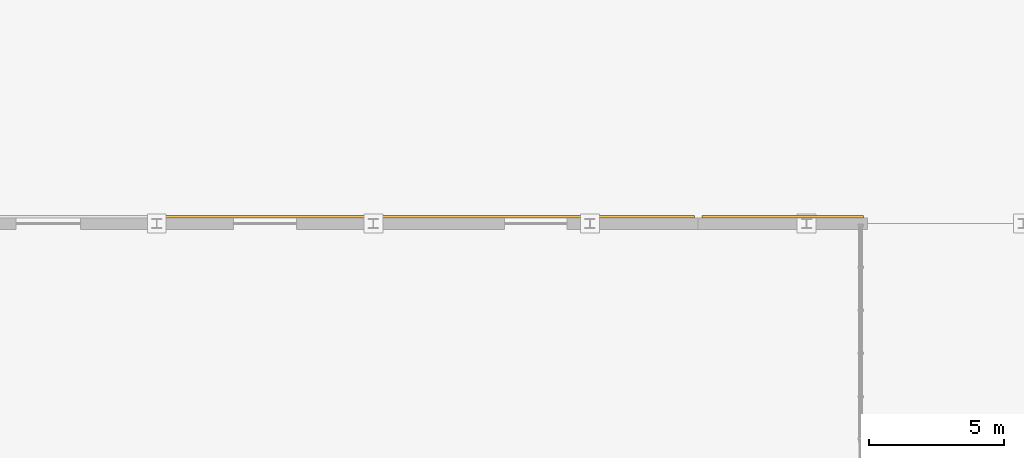
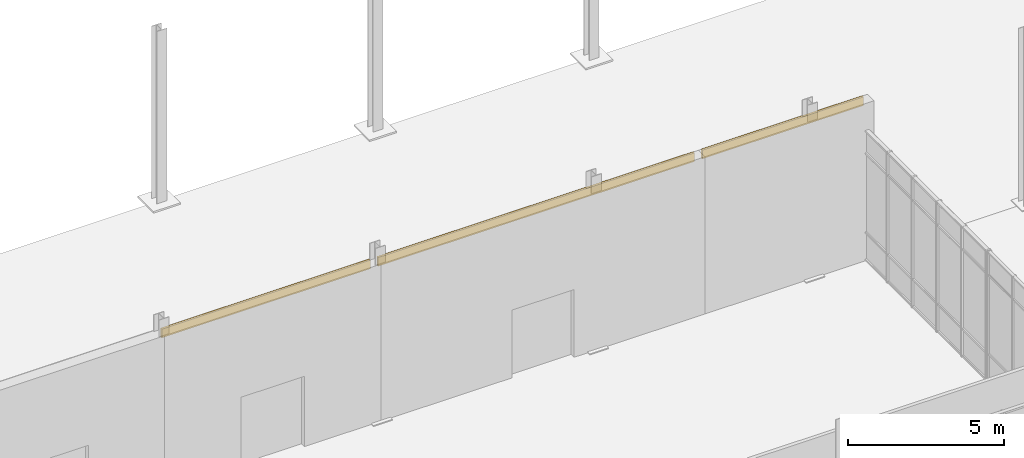
# One storey, part 140 of 140: 3 coverings.
"""IFC4 building model written with IfcOpenShell, lengths in metres."""

from ifc_helpers import new_model, si_unit, direction, frame, origin, origin_2d, place, context, subcontext, project, spatial, rectangle, extrude, material, layer, layer_set, type_object, element, save


model = new_model("IFC4")

# Units and contexts
model_context = context("Model", 3, precision=1e-05, world=origin(), true_north=direction((0.0, 1.0)))
body_context = subcontext(model_context, "Body", "Model", "MODEL_VIEW")
ifc_project = project(units=[si_unit("LENGTHUNIT", "METRE"), si_unit("AREAUNIT", "SQUARE_METRE"), si_unit("VOLUMEUNIT", "CUBIC_METRE"), si_unit("PLANEANGLEUNIT", "RADIAN"), si_unit("MASSUNIT", "GRAM", prefix="KILO")], contexts=[model_context])

# Site, building, storey
site_placement = place(None, origin())
site = spatial("IfcSite", under=ifc_project, at=site_placement, CompositionType="ELEMENT")
building_placement = place(site_placement, origin())
building = spatial("IfcBuilding", under=site, at=building_placement, Name="Verrall Gate Interchange", CompositionType="ELEMENT")
storey_placement = place(building_placement, origin())
storey = spatial("IfcBuildingStorey", under=building, at=storey_placement, Name="L01", CompositionType="ELEMENT", Elevation=0.0)

# Coverings
ifc_material = material(Name="Tyndall Dolomitic Limestone Ashlar Cavity Assembly (U=0.18)", Category="masonry")
ifc_layer = layer(ifc_material, 0.080078125)
ifc_layer_set = layer_set([ifc_layer], Name="Tyndall Dolomitic Limestone Ashlar Cavity Assembly (U=0.18)")
covering_type = type_object("IfcCoveringType", Name="CLD-01 Tyndall Cornice Cladding Band", PredefinedType="CLADDING", material=ifc_layer_set)
covering_1_placement = place(storey_placement, frame((147.12109375, 90.25, 5.7578125), z_axis=(0.0, 0.0, 1.0), x_axis=(-1.0, 0.0, 0.0)))
element("IfcCovering", 1, at=covering_1_placement, inside=storey, type_object=covering_type, Name="Classical Tyndall Cornice Band 023", PredefinedType="CLADDING", context=body_context, shape_type="SweptSolid", body=[
    extrude(rectangle(XDim=5.9580078125, YDim=0.080078125, at=origin_2d()), origin(), (0.0, 0.0, 1.0), 0.340087890625),
])
covering_2_placement = place(storey_placement, frame((138.0, 90.25, 5.7578125), z_axis=(0.0, 0.0, 1.0), x_axis=(-1.0, 0.0, 0.0)))
element("IfcCovering", 2, at=covering_2_placement, inside=storey, type_object=covering_type, Name="Classical Tyndall Cornice Band 024", PredefinedType="CLADDING", context=body_context, shape_type="SweptSolid", body=[
    extrude(rectangle(XDim=11.716064453125, YDim=0.080078125, at=origin_2d()), origin(), (0.0, 0.0, 1.0), 0.340087890625),
])
covering_3_placement = place(storey_placement, frame((128.0, 90.25, 5.7578125), z_axis=(0.0, 0.0, 1.0), x_axis=(-1.0, 0.0, 0.0)))
element("IfcCovering", 3, at=covering_3_placement, inside=storey, type_object=covering_type, Name="Classical Tyndall Cornice Band 025", PredefinedType="CLADDING", context=body_context, shape_type="SweptSolid", body=[
    extrude(rectangle(XDim=7.716064453125, YDim=0.080078125, at=origin_2d()), origin(), (0.0, 0.0, 1.0), 0.340087890625),
])

save(model, "model.ifc")
